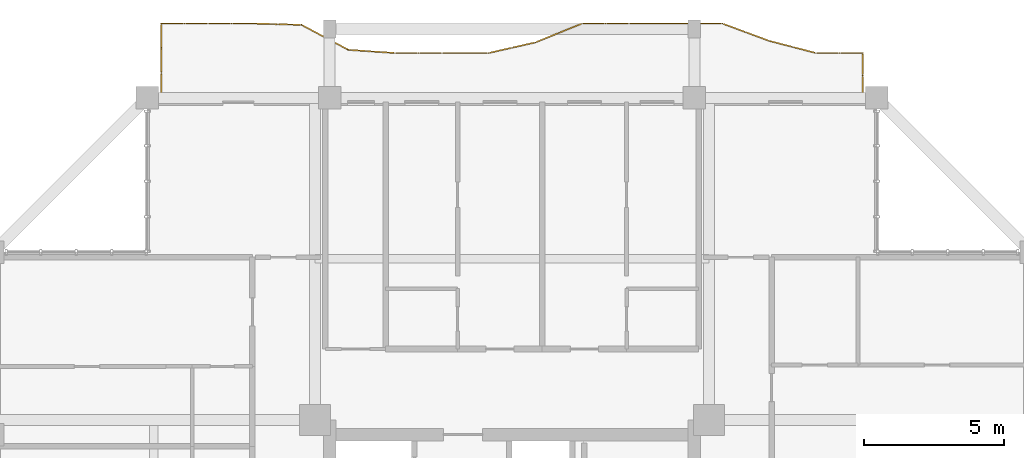
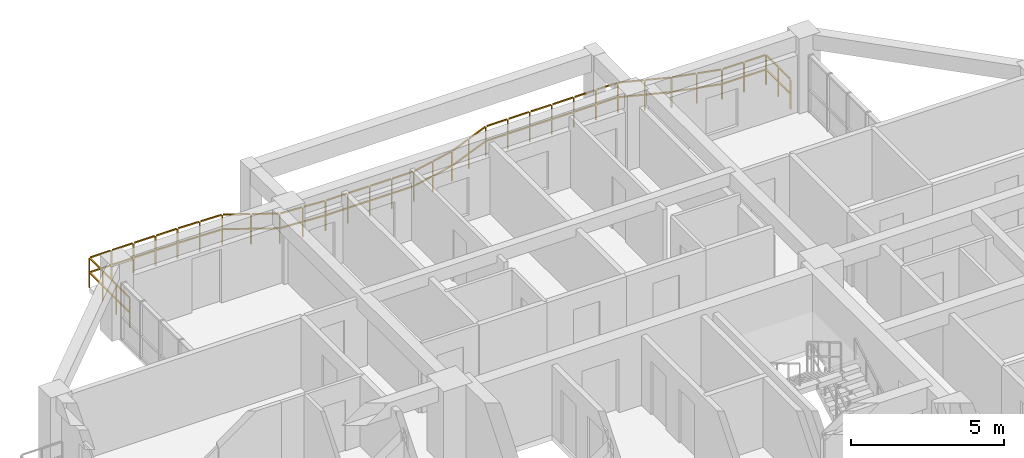
# One storey, part 22 of 22: 1 railing.
"""IFC4 building model written with IfcOpenShell, lengths in metres."""

from ifc_helpers import new_model, si_unit, direction, frame, origin, origin_2d, place, context, subcontext, project, spatial, rectangle, extrude, material, type_object, element, save


model = new_model("IFC4")

# Units and contexts
model_context = context("Model", 3, precision=1e-05, world=origin(), true_north=direction((0.0, 1.0)))
body_context = subcontext(model_context, "Body", "Model", "MODEL_VIEW")
ifc_project = project(units=[si_unit("LENGTHUNIT", "METRE"), si_unit("AREAUNIT", "SQUARE_METRE"), si_unit("VOLUMEUNIT", "CUBIC_METRE"), si_unit("PLANEANGLEUNIT", "RADIAN"), si_unit("MASSUNIT", "GRAM", prefix="KILO")], contexts=[model_context])

# Site, building, storey
site_placement = place(None, origin())
site = spatial("IfcSite", under=ifc_project, at=site_placement, CompositionType="ELEMENT")
building_placement = place(site_placement, origin())
building = spatial("IfcBuilding", under=site, at=building_placement, Name="Saelheon Loggia Tower", CompositionType="ELEMENT")
storey_placement = place(building_placement, frame((0.0, 0.0, 196.60009765625)))
storey = spatial("IfcBuildingStorey", under=building, at=storey_placement, Name="L61", CompositionType="ELEMENT", Elevation=196.60009765625)

# Railing
ifc_material = material(Name="Architectural Precast Concrete and Laminated Glass Guard", Category="concrete")
railing_type = type_object("IfcRailingType", Name="Guard_Loggia_RL_LOG", PredefinedType="BALUSTRADE", material=ifc_material)
railing_placement = place(storey_placement, frame((50.5, 48.0, 0.0)))
element("IfcRailing", 1, at=railing_placement, inside=storey, type_object=railing_type, Name="L61 North Loggia Balustrade", PredefinedType="BALUSTRADE", context=body_context, shape_type="SweptSolid", body=[
    extrude(rectangle(XDim=0.048095703125, YDim=0.048095703125, at=origin_2d()), frame((0.0, 0.033203125, 1.19580078125), z_axis=(0.0, 1.0, 0.0), x_axis=(-1.0, 0.0, 0.0)), (0.0, 0.0, 1.0), 0.733642578125),
    extrude(rectangle(XDim=0.048095703125, YDim=0.048095703125, at=origin_2d()), frame((0.0, 0.033203125, 0.60986328125), z_axis=(0.0, 1.0, 0.0), x_axis=(-1.0, 0.0, 0.0)), (0.0, 0.0, 1.0), 0.733642578125),
    extrude(rectangle(XDim=0.048095703125, YDim=0.048095703125, at=origin_2d()), frame((0.0, 0.833251953125, 1.19580078125), z_axis=(0.0, 1.0, 0.0), x_axis=(-1.0, 0.0, 0.0)), (0.0, 0.0, 1.0), 0.733642578125),
    extrude(rectangle(XDim=0.048095703125, YDim=0.048095703125, at=origin_2d()), frame((0.0, 0.833251953125, 0.60986328125), z_axis=(0.0, 1.0, 0.0), x_axis=(-1.0, 0.0, 0.0)), (0.0, 0.0, 1.0), 0.733642578125),
    extrude(rectangle(XDim=0.048095703125, YDim=0.048095703125, at=origin_2d()), frame((-0.033203125, 1.60009765625, 1.19580078125), z_axis=(-1.0, 0.0, 0.0), x_axis=(0.0, -1.0, 0.0)), (0.0, 0.0, 1.0), 0.766845703125),
    extrude(rectangle(XDim=0.048095703125, YDim=0.048095703125, at=origin_2d()), frame((-0.033203125, 1.60009765625, 0.60986328125), z_axis=(-1.0, 0.0, 0.0), x_axis=(0.0, -1.0, 0.0)), (0.0, 0.0, 1.0), 0.766845703125),
    extrude(rectangle(XDim=0.048095703125, YDim=0.048095703125, at=origin_2d()), frame((-0.86669921875, 1.60009765625, 1.19580078125), z_axis=(-1.0, 0.0, 0.0), x_axis=(0.0, -1.0, 0.0)), (0.0, 0.0, 1.0), 0.766845703125),
    extrude(rectangle(XDim=0.048095703125, YDim=0.048095703125, at=origin_2d()), frame((-0.86669921875, 1.60009765625, 0.60986328125), z_axis=(-1.0, 0.0, 0.0), x_axis=(0.0, -1.0, 0.0)), (0.0, 0.0, 1.0), 0.766845703125),
    extrude(rectangle(XDim=0.048095703125, YDim=0.048095703125, at=origin_2d()), frame((-1.698974609375, 1.6083984375, 1.19580078125), z_axis=(-0.96798669005, 0.25100152965, 0.0), x_axis=(-0.25100152965, -0.96798669005, 0.0)), (0.0, 0.0, 1.0), 0.79443359375),
    extrude(rectangle(XDim=0.048095703125, YDim=0.048095703125, at=origin_2d()), frame((-1.698974609375, 1.6083984375, 0.60986328125), z_axis=(-0.96798669005, 0.25100152965, 0.0), x_axis=(-0.25100152965, -0.96798669005, 0.0)), (0.0, 0.0, 1.0), 0.79443359375),
    extrude(rectangle(XDim=0.048095703125, YDim=0.048095703125, at=origin_2d()), frame((-2.5322265625, 1.824462890625, 1.19580078125), z_axis=(-0.96798669005, 0.25100152965, 0.0), x_axis=(-0.25100152965, -0.96798669005, 0.0)), (0.0, 0.0, 1.0), 0.79443359375),
    extrude(rectangle(XDim=0.048095703125, YDim=0.048095703125, at=origin_2d()), frame((-2.5322265625, 1.824462890625, 0.60986328125), z_axis=(-0.96798669005, 0.25100152965, 0.0), x_axis=(-0.25100152965, -0.96798669005, 0.0)), (0.0, 0.0, 1.0), 0.79443359375),
    extrude(rectangle(XDim=0.048095703125, YDim=0.048095703125, at=origin_2d()), frame((-3.364501953125, 2.043701171875, 1.19580078125), z_axis=(-0.937682471457, 0.347493284427, 0.0), x_axis=(-0.347493284427, -0.937682471457, 0.0)), (0.0, 0.0, 1.0), 0.822265625),
    extrude(rectangle(XDim=0.048095703125, YDim=0.048095703125, at=origin_2d()), frame((-3.364501953125, 2.043701171875, 0.60986328125), z_axis=(-0.937682471457, 0.347493284427, 0.0), x_axis=(-0.347493284427, -0.937682471457, 0.0)), (0.0, 0.0, 1.0), 0.822265625),
    extrude(rectangle(XDim=0.048095703125, YDim=0.048095703125, at=origin_2d()), frame((-4.19775390625, 2.3525390625, 1.19580078125), z_axis=(-0.937682471457, 0.347493284427, 0.0), x_axis=(-0.347493284427, -0.937682471457, 0.0)), (0.0, 0.0, 1.0), 0.822265625),
    extrude(rectangle(XDim=0.048095703125, YDim=0.048095703125, at=origin_2d()), frame((-4.19775390625, 2.3525390625, 0.60986328125), z_axis=(-0.937682471457, 0.347493284427, 0.0), x_axis=(-0.347493284427, -0.937682471457, 0.0)), (0.0, 0.0, 1.0), 0.822265625),
    extrude(rectangle(XDim=0.048095703125, YDim=0.048095703125, at=origin_2d()), frame((-5.033203125, 2.64990234375, 1.19580078125), z_axis=(-1.0, 0.0, 0.0), x_axis=(0.0, -1.0, 0.0)), (0.0, 0.0, 1.0), 0.766845703125),
    extrude(rectangle(XDim=0.048095703125, YDim=0.048095703125, at=origin_2d()), frame((-5.033203125, 2.64990234375, 0.60986328125), z_axis=(-1.0, 0.0, 0.0), x_axis=(0.0, -1.0, 0.0)), (0.0, 0.0, 1.0), 0.766845703125),
    extrude(rectangle(XDim=0.048095703125, YDim=0.048095703125, at=origin_2d()), frame((-5.86669921875, 2.64990234375, 1.19580078125), z_axis=(-1.0, 0.0, 0.0), x_axis=(0.0, -1.0, 0.0)), (0.0, 0.0, 1.0), 0.766845703125),
    extrude(rectangle(XDim=0.048095703125, YDim=0.048095703125, at=origin_2d()), frame((-5.86669921875, 2.64990234375, 0.60986328125), z_axis=(-1.0, 0.0, 0.0), x_axis=(0.0, -1.0, 0.0)), (0.0, 0.0, 1.0), 0.766845703125),
    extrude(rectangle(XDim=0.048095703125, YDim=0.048095703125, at=origin_2d()), frame((-6.699951171875, 2.64990234375, 1.19580078125), z_axis=(-1.0, 0.0, 0.0), x_axis=(0.0, -1.0, 0.0)), (0.0, 0.0, 1.0), 0.766845703125),
    extrude(rectangle(XDim=0.048095703125, YDim=0.048095703125, at=origin_2d()), frame((-6.699951171875, 2.64990234375, 0.60986328125), z_axis=(-1.0, 0.0, 0.0), x_axis=(0.0, -1.0, 0.0)), (0.0, 0.0, 1.0), 0.766845703125),
    extrude(rectangle(XDim=0.048095703125, YDim=0.048095703125, at=origin_2d()), frame((-7.533203125, 2.64990234375, 1.19580078125), z_axis=(-1.0, 0.0, 0.0), x_axis=(0.0, -1.0, 0.0)), (0.0, 0.0, 1.0), 0.766845703125),
    extrude(rectangle(XDim=0.048095703125, YDim=0.048095703125, at=origin_2d()), frame((-7.533203125, 2.64990234375, 0.60986328125), z_axis=(-1.0, 0.0, 0.0), x_axis=(0.0, -1.0, 0.0)), (0.0, 0.0, 1.0), 0.766845703125),
    extrude(rectangle(XDim=0.048095703125, YDim=0.048095703125, at=origin_2d()), frame((-8.366455078125, 2.64990234375, 1.19580078125), z_axis=(-1.0, 0.0, 0.0), x_axis=(0.0, -1.0, 0.0)), (0.0, 0.0, 1.0), 0.766845703125),
    extrude(rectangle(XDim=0.048095703125, YDim=0.048095703125, at=origin_2d()), frame((-8.366455078125, 2.64990234375, 0.60986328125), z_axis=(-1.0, 0.0, 0.0), x_axis=(0.0, -1.0, 0.0)), (0.0, 0.0, 1.0), 0.766845703125),
    extrude(rectangle(XDim=0.048095703125, YDim=0.048095703125, at=origin_2d()), frame((-9.199951171875, 2.64990234375, 1.19580078125), z_axis=(-1.0, 0.0, 0.0), x_axis=(0.0, -1.0, 0.0)), (0.0, 0.0, 1.0), 0.766845703125),
    extrude(rectangle(XDim=0.048095703125, YDim=0.048095703125, at=origin_2d()), frame((-9.199951171875, 2.64990234375, 0.60986328125), z_axis=(-1.0, 0.0, 0.0), x_axis=(0.0, -1.0, 0.0)), (0.0, 0.0, 1.0), 0.766845703125),
    extrude(rectangle(XDim=0.048095703125, YDim=0.048095703125, at=origin_2d()), frame((-10.03076171875, 2.637451171875, 1.19580078125), z_axis=(-0.927527330122, -0.373755336922, 0.0), x_axis=(0.373755336922, -0.927527330122, 0.0)), (0.0, 0.0, 1.0), 0.83203125),
    extrude(rectangle(XDim=0.048095703125, YDim=0.048095703125, at=origin_2d()), frame((-10.03076171875, 2.637451171875, 0.60986328125), z_axis=(-0.927527330122, -0.373755336922, 0.0), x_axis=(0.373755336922, -0.927527330122, 0.0)), (0.0, 0.0, 1.0), 0.83203125),
    extrude(rectangle(XDim=0.048095703125, YDim=0.048095703125, at=origin_2d()), frame((-10.8642578125, 2.3017578125, 1.19580078125), z_axis=(-0.927527330122, -0.373755336922, 0.0), x_axis=(0.373755336922, -0.927527330122, 0.0)), (0.0, 0.0, 1.0), 0.83203125),
    extrude(rectangle(XDim=0.048095703125, YDim=0.048095703125, at=origin_2d()), frame((-10.8642578125, 2.3017578125, 0.60986328125), z_axis=(-0.927527330122, -0.373755336922, 0.0), x_axis=(0.373755336922, -0.927527330122, 0.0)), (0.0, 0.0, 1.0), 0.83203125),
    extrude(rectangle(XDim=0.048095703125, YDim=0.048095703125, at=origin_2d()), frame((-11.69921875, 1.970947265625, 1.19580078125), z_axis=(-0.975205779848, -0.221299993112, 0.0), x_axis=(0.221299993112, -0.975205779848, 0.0)), (0.0, 0.0, 1.0), 0.7880859375),
    extrude(rectangle(XDim=0.048095703125, YDim=0.048095703125, at=origin_2d()), frame((-11.69921875, 1.970947265625, 0.60986328125), z_axis=(-0.975205779848, -0.221299993112, 0.0), x_axis=(0.221299993112, -0.975205779848, 0.0)), (0.0, 0.0, 1.0), 0.7880859375),
    extrude(rectangle(XDim=0.048095703125, YDim=0.048095703125, at=origin_2d()), frame((-12.532470703125, 1.78173828125, 1.19580078125), z_axis=(-0.975205779848, -0.221299993112, 0.0), x_axis=(0.221299993112, -0.975205779848, 0.0)), (0.0, 0.0, 1.0), 0.7880859375),
    extrude(rectangle(XDim=0.048095703125, YDim=0.048095703125, at=origin_2d()), frame((-12.532470703125, 1.78173828125, 0.60986328125), z_axis=(-0.975205779848, -0.221299993112, 0.0), x_axis=(0.221299993112, -0.975205779848, 0.0)), (0.0, 0.0, 1.0), 0.7880859375),
    extrude(rectangle(XDim=0.048095703125, YDim=0.048095703125, at=origin_2d()), frame((-13.366455078125, 1.60009765625, 1.19580078125), z_axis=(-1.0, 0.0, 0.0), x_axis=(0.0, -1.0, 0.0)), (0.0, 0.0, 1.0), 0.766845703125),
    extrude(rectangle(XDim=0.048095703125, YDim=0.048095703125, at=origin_2d()), frame((-13.366455078125, 1.60009765625, 0.60986328125), z_axis=(-1.0, 0.0, 0.0), x_axis=(0.0, -1.0, 0.0)), (0.0, 0.0, 1.0), 0.766845703125),
    extrude(rectangle(XDim=0.048095703125, YDim=0.048095703125, at=origin_2d()), frame((-14.199951171875, 1.60009765625, 1.19580078125), z_axis=(-1.0, 0.0, 0.0), x_axis=(0.0, -1.0, 0.0)), (0.0, 0.0, 1.0), 0.766845703125),
    extrude(rectangle(XDim=0.048095703125, YDim=0.048095703125, at=origin_2d()), frame((-14.199951171875, 1.60009765625, 0.60986328125), z_axis=(-1.0, 0.0, 0.0), x_axis=(0.0, -1.0, 0.0)), (0.0, 0.0, 1.0), 0.766845703125),
    extrude(rectangle(XDim=0.048095703125, YDim=0.048095703125, at=origin_2d()), frame((-15.033203125, 1.60009765625, 1.19580078125), z_axis=(-1.0, 0.0, 0.0), x_axis=(0.0, -1.0, 0.0)), (0.0, 0.0, 1.0), 0.766845703125),
    extrude(rectangle(XDim=0.048095703125, YDim=0.048095703125, at=origin_2d()), frame((-15.033203125, 1.60009765625, 0.60986328125), z_axis=(-1.0, 0.0, 0.0), x_axis=(0.0, -1.0, 0.0)), (0.0, 0.0, 1.0), 0.766845703125),
    extrude(rectangle(XDim=0.048095703125, YDim=0.048095703125, at=origin_2d()), frame((-15.86669921875, 1.60009765625, 1.19580078125), z_axis=(-1.0, 0.0, 0.0), x_axis=(0.0, -1.0, 0.0)), (0.0, 0.0, 1.0), 0.766845703125),
    extrude(rectangle(XDim=0.048095703125, YDim=0.048095703125, at=origin_2d()), frame((-15.86669921875, 1.60009765625, 0.60986328125), z_axis=(-1.0, 0.0, 0.0), x_axis=(0.0, -1.0, 0.0)), (0.0, 0.0, 1.0), 0.766845703125),
    extrude(rectangle(XDim=0.048095703125, YDim=0.048095703125, at=origin_2d()), frame((-16.699951171875, 1.602294921875, 1.19580078125), z_axis=(-0.997677827609, 0.068109854624, 0.0), x_axis=(-0.068109854624, -0.997677827609, 0.0)), (0.0, 0.0, 1.0), 0.768798828125),
    extrude(rectangle(XDim=0.048095703125, YDim=0.048095703125, at=origin_2d()), frame((-16.699951171875, 1.602294921875, 0.60986328125), z_axis=(-0.997677827609, 0.068109854624, 0.0), x_axis=(-0.068109854624, -0.997677827609, 0.0)), (0.0, 0.0, 1.0), 0.768798828125),
    extrude(rectangle(XDim=0.048095703125, YDim=0.048095703125, at=origin_2d()), frame((-17.533203125, 1.6591796875, 1.19580078125), z_axis=(-0.997677827609, 0.068109854624, 0.0), x_axis=(-0.068109854624, -0.997677827609, 0.0)), (0.0, 0.0, 1.0), 0.768798828125),
    extrude(rectangle(XDim=0.048095703125, YDim=0.048095703125, at=origin_2d()), frame((-17.533203125, 1.6591796875, 0.60986328125), z_axis=(-0.997677827609, 0.068109854624, 0.0), x_axis=(-0.068109854624, -0.997677827609, 0.0)), (0.0, 0.0, 1.0), 0.768798828125),
    extrude(rectangle(XDim=0.048095703125, YDim=0.048095703125, at=origin_2d()), frame((-18.362548828125, 1.7294921875, 1.19580078125), z_axis=(-0.88224917848, 0.470782738714, 0.0), x_axis=(-0.470782738714, -0.88224917848, 0.0)), (0.0, 0.0, 1.0), 0.878173828125),
    extrude(rectangle(XDim=0.048095703125, YDim=0.048095703125, at=origin_2d()), frame((-18.362548828125, 1.7294921875, 0.60986328125), z_axis=(-0.88224917848, 0.470782738714, 0.0), x_axis=(-0.470782738714, -0.88224917848, 0.0)), (0.0, 0.0, 1.0), 0.878173828125),
    extrude(rectangle(XDim=0.048095703125, YDim=0.048095703125, at=origin_2d()), frame((-19.196044921875, 2.17431640625, 1.19580078125), z_axis=(-0.88224917848, 0.470782738714, 0.0), x_axis=(-0.470782738714, -0.88224917848, 0.0)), (0.0, 0.0, 1.0), 0.878173828125),
    extrude(rectangle(XDim=0.048095703125, YDim=0.048095703125, at=origin_2d()), frame((-19.196044921875, 2.17431640625, 0.60986328125), z_axis=(-0.88224917848, 0.470782738714, 0.0), x_axis=(-0.470782738714, -0.88224917848, 0.0)), (0.0, 0.0, 1.0), 0.878173828125),
    extrude(rectangle(XDim=0.048095703125, YDim=0.048095703125, at=origin_2d()), frame((-20.033203125, 2.604248046875, 1.19580078125), z_axis=(-0.999608869146, 0.027966206827, 0.0), x_axis=(-0.027966206827, -0.999608869146, 0.0)), (0.0, 0.0, 1.0), 0.767333984375),
    extrude(rectangle(XDim=0.048095703125, YDim=0.048095703125, at=origin_2d()), frame((-20.033203125, 2.604248046875, 0.60986328125), z_axis=(-0.999608869146, 0.027966206827, 0.0), x_axis=(-0.027966206827, -0.999608869146, 0.0)), (0.0, 0.0, 1.0), 0.767333984375),
    extrude(rectangle(XDim=0.048095703125, YDim=0.048095703125, at=origin_2d()), frame((-20.86669921875, 2.62744140625, 1.19580078125), z_axis=(-0.999608869146, 0.027966206827, 0.0), x_axis=(-0.027966206827, -0.999608869146, 0.0)), (0.0, 0.0, 1.0), 0.767333984375),
    extrude(rectangle(XDim=0.048095703125, YDim=0.048095703125, at=origin_2d()), frame((-20.86669921875, 2.62744140625, 0.60986328125), z_axis=(-0.999608869146, 0.027966206827, 0.0), x_axis=(-0.027966206827, -0.999608869146, 0.0)), (0.0, 0.0, 1.0), 0.767333984375),
    extrude(rectangle(XDim=0.048095703125, YDim=0.048095703125, at=origin_2d()), frame((-21.699951171875, 2.64990234375, 1.19580078125), z_axis=(-1.0, 0.0, 0.0), x_axis=(0.0, -1.0, 0.0)), (0.0, 0.0, 1.0), 0.766845703125),
    extrude(rectangle(XDim=0.048095703125, YDim=0.048095703125, at=origin_2d()), frame((-21.699951171875, 2.64990234375, 0.60986328125), z_axis=(-1.0, 0.0, 0.0), x_axis=(0.0, -1.0, 0.0)), (0.0, 0.0, 1.0), 0.766845703125),
    extrude(rectangle(XDim=0.048095703125, YDim=0.048095703125, at=origin_2d()), frame((-22.533203125, 2.64990234375, 1.19580078125), z_axis=(-1.0, 0.0, 0.0), x_axis=(0.0, -1.0, 0.0)), (0.0, 0.0, 1.0), 0.766845703125),
    extrude(rectangle(XDim=0.048095703125, YDim=0.048095703125, at=origin_2d()), frame((-22.533203125, 2.64990234375, 0.60986328125), z_axis=(-1.0, 0.0, 0.0), x_axis=(0.0, -1.0, 0.0)), (0.0, 0.0, 1.0), 0.766845703125),
    extrude(rectangle(XDim=0.048095703125, YDim=0.048095703125, at=origin_2d()), frame((-23.366455078125, 2.64990234375, 1.19580078125), z_axis=(-1.0, 0.0, 0.0), x_axis=(0.0, -1.0, 0.0)), (0.0, 0.0, 1.0), 0.766845703125),
    extrude(rectangle(XDim=0.048095703125, YDim=0.048095703125, at=origin_2d()), frame((-23.366455078125, 2.64990234375, 0.60986328125), z_axis=(-1.0, 0.0, 0.0), x_axis=(0.0, -1.0, 0.0)), (0.0, 0.0, 1.0), 0.766845703125),
    extrude(rectangle(XDim=0.048095703125, YDim=0.048095703125, at=origin_2d()), frame((-24.199951171875, 2.64990234375, 1.19580078125), z_axis=(-1.0, 0.0, 0.0), x_axis=(0.0, -1.0, 0.0)), (0.0, 0.0, 1.0), 0.766845703125),
    extrude(rectangle(XDim=0.048095703125, YDim=0.048095703125, at=origin_2d()), frame((-24.199951171875, 2.64990234375, 0.60986328125), z_axis=(-1.0, 0.0, 0.0), x_axis=(0.0, -1.0, 0.0)), (0.0, 0.0, 1.0), 0.766845703125),
    extrude(rectangle(XDim=0.048095703125, YDim=0.048095703125, at=origin_2d()), frame((-25.0, 2.61669921875, 1.19580078125), z_axis=(0.0, -1.0, 0.0), x_axis=(1.0, 0.0, 0.0)), (0.0, 0.0, 1.0), 0.81689453125),
    extrude(rectangle(XDim=0.048095703125, YDim=0.048095703125, at=origin_2d()), frame((-25.0, 2.61669921875, 0.60986328125), z_axis=(0.0, -1.0, 0.0), x_axis=(1.0, 0.0, 0.0)), (0.0, 0.0, 1.0), 0.81689453125),
    extrude(rectangle(XDim=0.048095703125, YDim=0.048095703125, at=origin_2d()), frame((-25.0, 1.7333984375, 1.19580078125), z_axis=(0.0, -1.0, 0.0), x_axis=(1.0, 0.0, 0.0)), (0.0, 0.0, 1.0), 0.81689453125),
    extrude(rectangle(XDim=0.048095703125, YDim=0.048095703125, at=origin_2d()), frame((-25.0, 1.7333984375, 0.60986328125), z_axis=(0.0, -1.0, 0.0), x_axis=(1.0, 0.0, 0.0)), (0.0, 0.0, 1.0), 0.81689453125),
    extrude(rectangle(XDim=0.048095703125, YDim=0.048095703125, at=origin_2d()), frame((-25.0, 0.85009765625, 1.19580078125), z_axis=(0.0, -1.0, 0.0), x_axis=(1.0, 0.0, 0.0)), (0.0, 0.0, 1.0), 0.81689453125),
    extrude(rectangle(XDim=0.048095703125, YDim=0.048095703125, at=origin_2d()), frame((-25.0, 0.85009765625, 0.60986328125), z_axis=(0.0, -1.0, 0.0), x_axis=(1.0, 0.0, 0.0)), (0.0, 0.0, 1.0), 0.81689453125),
    extrude(rectangle(XDim=0.0419921875, YDim=0.0419921875, at=origin_2d()), origin(), (0.0, 0.0, 1.0), 1.16796875),
    extrude(rectangle(XDim=0.0419921875, YDim=0.0419921875, at=origin_2d()), frame((0.0, 0.800048828125, 0.0)), (0.0, 0.0, 1.0), 1.16796875),
    extrude(rectangle(XDim=0.0419921875, YDim=0.0419921875, at=origin_2d()), frame((0.0, 1.60009765625, 0.0)), (0.0, 0.0, 1.0), 1.16796875),
    extrude(rectangle(XDim=0.0419921875, YDim=0.0419921875, at=origin_2d()), frame((-0.83349609375, 1.60009765625, 0.0)), (0.0, 0.0, 1.0), 1.16796875),
    extrude(rectangle(XDim=0.0419921875, YDim=0.0419921875, at=origin_2d()), frame((-1.666748046875, 1.60009765625, 0.0)), (0.0, 0.0, 1.0), 1.16796875),
    extrude(rectangle(XDim=0.0419921875, YDim=0.0419921875, at=origin_2d()), frame((-2.5, 1.816162109375, 0.0)), (0.0, 0.0, 1.0), 1.16796875),
    extrude(rectangle(XDim=0.0419921875, YDim=0.0419921875, at=origin_2d()), frame((-3.333251953125, 2.0322265625, 0.0)), (0.0, 0.0, 1.0), 1.16796875),
    extrude(rectangle(XDim=0.0419921875, YDim=0.0419921875, at=origin_2d()), frame((-4.16650390625, 2.341064453125, 0.0)), (0.0, 0.0, 1.0), 1.16796875),
    extrude(rectangle(XDim=0.0419921875, YDim=0.0419921875, at=origin_2d()), frame((-5.0, 2.64990234375, 0.0)), (0.0, 0.0, 1.0), 1.16796875),
    extrude(rectangle(XDim=0.0419921875, YDim=0.0419921875, at=origin_2d()), frame((-5.83349609375, 2.64990234375, 0.0)), (0.0, 0.0, 1.0), 1.16796875),
    extrude(rectangle(XDim=0.0419921875, YDim=0.0419921875, at=origin_2d()), frame((-6.666748046875, 2.64990234375, 0.0)), (0.0, 0.0, 1.0), 1.16796875),
    extrude(rectangle(XDim=0.0419921875, YDim=0.0419921875, at=origin_2d()), frame((-7.5, 2.64990234375, 0.0)), (0.0, 0.0, 1.0), 1.16796875),
    extrude(rectangle(XDim=0.0419921875, YDim=0.0419921875, at=origin_2d()), frame((-8.333251953125, 2.64990234375, 0.0)), (0.0, 0.0, 1.0), 1.16796875),
    extrude(rectangle(XDim=0.0419921875, YDim=0.0419921875, at=origin_2d()), frame((-9.16650390625, 2.64990234375, 0.0)), (0.0, 0.0, 1.0), 1.16796875),
    extrude(rectangle(XDim=0.0419921875, YDim=0.0419921875, at=origin_2d()), frame((-10.0, 2.64990234375, 0.0)), (0.0, 0.0, 1.0), 1.16796875),
    extrude(rectangle(XDim=0.0419921875, YDim=0.0419921875, at=origin_2d()), frame((-10.83349609375, 2.31396484375, 0.0)), (0.0, 0.0, 1.0), 1.16796875),
    extrude(rectangle(XDim=0.0419921875, YDim=0.0419921875, at=origin_2d()), frame((-11.666748046875, 1.978271484375, 0.0)), (0.0, 0.0, 1.0), 1.16796875),
    extrude(rectangle(XDim=0.0419921875, YDim=0.0419921875, at=origin_2d()), frame((-12.5, 1.7890625, 0.0)), (0.0, 0.0, 1.0), 1.16796875),
    extrude(rectangle(XDim=0.0419921875, YDim=0.0419921875, at=origin_2d()), frame((-13.333251953125, 1.60009765625, 0.0)), (0.0, 0.0, 1.0), 1.16796875),
    extrude(rectangle(XDim=0.0419921875, YDim=0.0419921875, at=origin_2d()), frame((-14.16650390625, 1.60009765625, 0.0)), (0.0, 0.0, 1.0), 1.16796875),
    extrude(rectangle(XDim=0.0419921875, YDim=0.0419921875, at=origin_2d()), frame((-15.0, 1.60009765625, 0.0)), (0.0, 0.0, 1.0), 1.16796875),
    extrude(rectangle(XDim=0.0419921875, YDim=0.0419921875, at=origin_2d()), frame((-15.83349609375, 1.60009765625, 0.0)), (0.0, 0.0, 1.0), 1.16796875),
    extrude(rectangle(XDim=0.0419921875, YDim=0.0419921875, at=origin_2d()), frame((-16.666748046875, 1.60009765625, 0.0)), (0.0, 0.0, 1.0), 1.16796875),
    extrude(rectangle(XDim=0.0419921875, YDim=0.0419921875, at=origin_2d()), frame((-17.5, 1.656982421875, 0.0)), (0.0, 0.0, 1.0), 1.16796875),
    extrude(rectangle(XDim=0.0419921875, YDim=0.0419921875, at=origin_2d()), frame((-18.333251953125, 1.7138671875, 0.0)), (0.0, 0.0, 1.0), 1.16796875),
    extrude(rectangle(XDim=0.0419921875, YDim=0.0419921875, at=origin_2d()), frame((-19.16650390625, 2.15869140625, 0.0)), (0.0, 0.0, 1.0), 1.16796875),
    extrude(rectangle(XDim=0.0419921875, YDim=0.0419921875, at=origin_2d()), frame((-20.0, 2.603271484375, 0.0)), (0.0, 0.0, 1.0), 1.16796875),
    extrude(rectangle(XDim=0.0419921875, YDim=0.0419921875, at=origin_2d()), frame((-20.83349609375, 2.62646484375, 0.0)), (0.0, 0.0, 1.0), 1.16796875),
    extrude(rectangle(XDim=0.0419921875, YDim=0.0419921875, at=origin_2d()), frame((-21.666748046875, 2.64990234375, 0.0)), (0.0, 0.0, 1.0), 1.16796875),
    extrude(rectangle(XDim=0.0419921875, YDim=0.0419921875, at=origin_2d()), frame((-22.5, 2.64990234375, 0.0)), (0.0, 0.0, 1.0), 1.16796875),
    extrude(rectangle(XDim=0.0419921875, YDim=0.0419921875, at=origin_2d()), frame((-23.333251953125, 2.64990234375, 0.0)), (0.0, 0.0, 1.0), 1.16796875),
    extrude(rectangle(XDim=0.0419921875, YDim=0.0419921875, at=origin_2d()), frame((-24.16650390625, 2.64990234375, 0.0)), (0.0, 0.0, 1.0), 1.16796875),
    extrude(rectangle(XDim=0.0419921875, YDim=0.0419921875, at=origin_2d()), frame((-25.0, 2.64990234375, 0.0)), (0.0, 0.0, 1.0), 1.16796875),
    extrude(rectangle(XDim=0.0419921875, YDim=0.0419921875, at=origin_2d()), frame((-25.0, 1.7666015625, 0.0)), (0.0, 0.0, 1.0), 1.16796875),
    extrude(rectangle(XDim=0.0419921875, YDim=0.0419921875, at=origin_2d()), frame((-25.0, 0.88330078125, 0.0)), (0.0, 0.0, 1.0), 1.16796875),
    extrude(rectangle(XDim=0.0419921875, YDim=0.0419921875, at=origin_2d()), frame((-25.0, 0.0, 0.0)), (0.0, 0.0, 1.0), 1.16796875),
])

save(model, "model.ifc")
